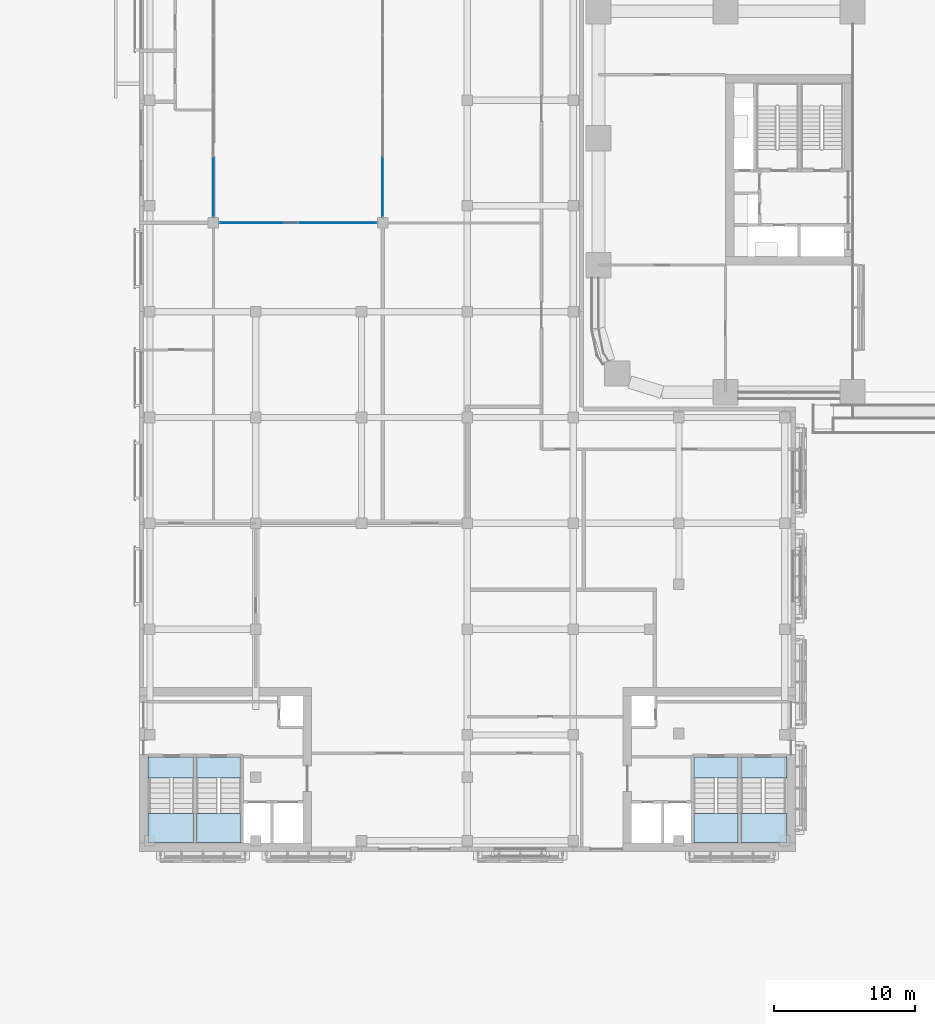
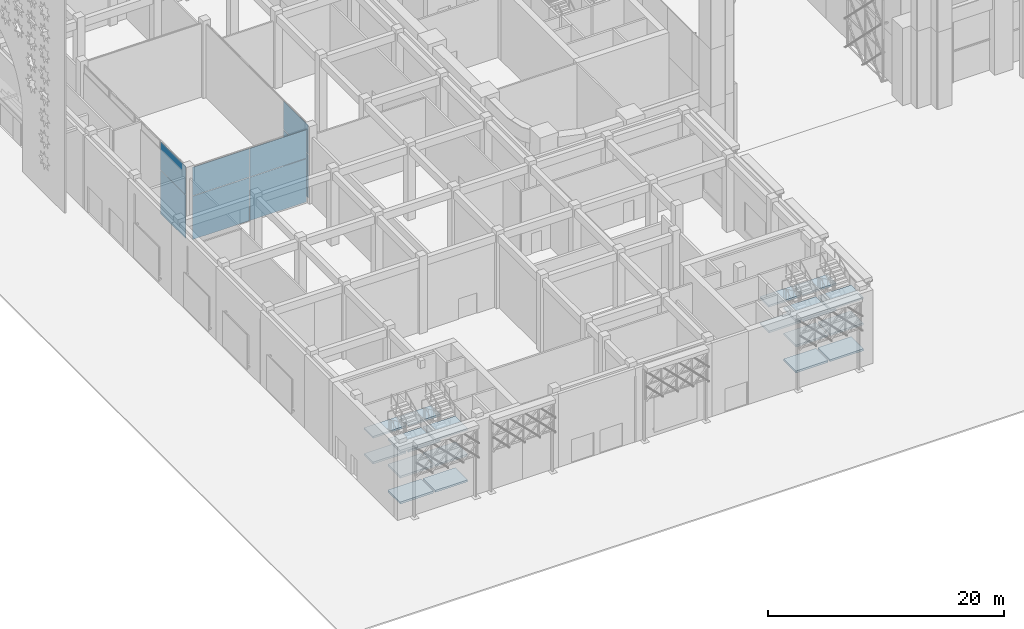
# One storey, part 20 of 64: 20 slabs, 8 plates, 7 elements without a shape of their own.
"""IFC4 building model written with IfcOpenShell, lengths in metres."""

from ifc_helpers import new_model, si_unit, direction, frame, origin, origin_2d, place, context, subcontext, project, spatial, polyline, rectangle, outline, extrude, material, layer, layer_set, type_object, element, aggregate, save


model = new_model("IFC4")

# Units and contexts
model_context = context("Model", 3, precision=1e-05, world=origin(), true_north=direction((0.0, 1.0)))
body_context = subcontext(model_context, "Body", "Model", "MODEL_VIEW")
ifc_project = project(units=[si_unit("LENGTHUNIT", "METRE"), si_unit("AREAUNIT", "SQUARE_METRE"), si_unit("VOLUMEUNIT", "CUBIC_METRE"), si_unit("PLANEANGLEUNIT", "RADIAN"), si_unit("MASSUNIT", "GRAM", prefix="KILO")], contexts=[model_context])

# Site, building, storey
site_placement = place(None, origin())
site = spatial("IfcSite", under=ifc_project, at=site_placement, CompositionType="ELEMENT")
building_placement = place(site_placement, origin())
building = spatial("IfcBuilding", under=site, at=building_placement, Name="Tessera Arch", CompositionType="ELEMENT")
storey_placement = place(building_placement, origin())
storey = spatial("IfcBuildingStorey", under=building, at=storey_placement, Name="L00", CompositionType="ELEMENT", Elevation=0.0)

# Curtain wall, plates
ifc_material_1 = material(Name="Aluminium and clear glass", Category="aluminium")
ifc_layer_1 = layer(ifc_material_1, 0.1201171875)
ifc_layer_set_1 = layer_set([ifc_layer_1], Name="Courtyard curtain wall")
curtain_wall_type = type_object("IfcCurtainWallType", Name="Courtyard curtain wall", PredefinedType="NOTDEFINED", material=ifc_layer_set_1)
curtain_wall_1_placement = place(storey_placement, origin())
curtain_wall_1 = element("IfcCurtainWall", 1, at=curtain_wall_1_placement, inside=storey, type_object=curtain_wall_type, Name="Courtyard curtain wall L00 1", PredefinedType="NOTDEFINED")
ifc_material_2 = material(Name="Clear low-e laminated glass", Category="glass")
ifc_layer_2 = layer(ifc_material_2, 0.028076171875)
ifc_layer_set_2 = layer_set([ifc_layer_2], Name="Courtyard glass panel")
plate_type = type_object("IfcPlateType", Name="Courtyard glass panel", PredefinedType="CURTAIN_PANEL", material=ifc_layer_set_2)
plate_1_placement = place(storey_placement, frame((-24.097412109375, 12.0, 0.06005859375), z_axis=(0.0, 0.0, 1.0), x_axis=(1.0, 0.0, 0.0)))
plate_1 = element("IfcPlate", 2, at=plate_1_placement, type_object=plate_type, Name="MCW1 panel 1.1", PredefinedType="CURTAIN_PANEL", context=body_context, shape_type="SweptSolid", body=[
    extrude(rectangle(XDim=5.534912109375, YDim=0.028076171875, at=origin_2d()), origin(), (0.0, 0.0, 1.0), 4.464111328125),
])
plate_2_placement = place(storey_placement, frame((-24.097412109375, 12.0, 4.583984375), z_axis=(0.0, 0.0, 1.0), x_axis=(1.0, 0.0, 0.0)))
plate_2 = element("IfcPlate", 3, at=plate_2_placement, type_object=plate_type, Name="MCW1 panel 1.2", PredefinedType="CURTAIN_PANEL", context=body_context, shape_type="SweptSolid", body=[
    extrude(rectangle(XDim=5.534912109375, YDim=0.028076171875, at=origin_2d()), origin(), (0.0, 0.0, 1.0), 2.946044921875),
])
plate_3_placement = place(storey_placement, frame((-18.50244140625, 12.0, 0.06005859375), z_axis=(0.0, 0.0, 1.0), x_axis=(1.0, 0.0, 0.0)))
plate_3 = element("IfcPlate", 4, at=plate_3_placement, type_object=plate_type, Name="MCW1 panel 2.1", PredefinedType="CURTAIN_PANEL", context=body_context, shape_type="SweptSolid", body=[
    extrude(rectangle(XDim=5.534912109375, YDim=0.028076171875, at=origin_2d()), origin(), (0.0, 0.0, 1.0), 4.464111328125),
])
plate_4_placement = place(storey_placement, frame((-18.50244140625, 12.0, 4.583984375), z_axis=(0.0, 0.0, 1.0), x_axis=(1.0, 0.0, 0.0)))
plate_4 = element("IfcPlate", 5, at=plate_4_placement, type_object=plate_type, Name="MCW1 panel 2.2", PredefinedType="CURTAIN_PANEL", context=body_context, shape_type="SweptSolid", body=[
    extrude(rectangle(XDim=5.534912109375, YDim=0.028076171875, at=origin_2d()), origin(), (0.0, 0.0, 1.0), 2.946044921875),
])
aggregate(curtain_wall_1, [plate_1, plate_2, plate_3, plate_4])

curtain_wall_2_placement = place(storey_placement, origin())
curtain_wall_2 = element("IfcCurtainWall", 6, at=curtain_wall_2_placement, inside=storey, type_object=curtain_wall_type, Name="Courtyard curtain wall L00 2", PredefinedType="NOTDEFINED")
plate_5_placement = place(storey_placement, frame((-15.300048828125, 14.546142578125, 0.06005859375), z_axis=(0.0, 0.0, 1.0), x_axis=(0.0, 1.0, 0.0)))
plate_5 = element("IfcPlate", 7, at=plate_5_placement, type_object=plate_type, Name="MCW1 panel 1.1", PredefinedType="CURTAIN_PANEL", context=body_context, shape_type="SweptSolid", body=[
    extrude(rectangle(XDim=4.222412109375, YDim=0.028076171875, at=origin_2d()), origin(), (0.0, 0.0, 1.0), 4.464111328125),
])
plate_6_placement = place(storey_placement, frame((-15.300048828125, 14.546142578125, 4.583984375), z_axis=(0.0, 0.0, 1.0), x_axis=(0.0, 1.0, 0.0)))
plate_6 = element("IfcPlate", 8, at=plate_6_placement, type_object=plate_type, Name="MCW1 panel 1.2", PredefinedType="CURTAIN_PANEL", context=body_context, shape_type="SweptSolid", body=[
    extrude(rectangle(XDim=4.222412109375, YDim=0.028076171875, at=origin_2d()), origin(), (0.0, 0.0, 1.0), 2.946044921875),
])
aggregate(curtain_wall_2, [plate_5, plate_6])

curtain_wall_3_placement = place(storey_placement, origin())
curtain_wall_3 = element("IfcCurtainWall", 9, at=curtain_wall_3_placement, inside=storey, type_object=curtain_wall_type, Name="Courtyard curtain wall L00 4", PredefinedType="NOTDEFINED")
plate_7_placement = place(storey_placement, frame((-27.300048828125, 14.546142578125, 0.06005859375), z_axis=(0.0, 0.0, 1.0), x_axis=(0.0, -1.0, 0.0)))
plate_7 = element("IfcPlate", 10, at=plate_7_placement, type_object=plate_type, Name="MCW1 panel 4.1", PredefinedType="CURTAIN_PANEL", context=body_context, shape_type="SweptSolid", body=[
    extrude(rectangle(XDim=4.222412109375, YDim=0.028076171875, at=origin_2d()), origin(), (0.0, 0.0, 1.0), 4.464111328125),
])
plate_8_placement = place(storey_placement, frame((-27.300048828125, 14.546142578125, 4.583984375), z_axis=(0.0, 0.0, 1.0), x_axis=(0.0, -1.0, 0.0)))
plate_8 = element("IfcPlate", 11, at=plate_8_placement, type_object=plate_type, Name="MCW1 panel 4.2", PredefinedType="CURTAIN_PANEL", context=body_context, shape_type="SweptSolid", body=[
    extrude(rectangle(XDim=4.222412109375, YDim=0.028076171875, at=origin_2d()), origin(), (0.0, 0.0, 1.0), 2.946044921875),
])
aggregate(curtain_wall_3, [plate_7, plate_8])

# Stair, slabs
ifc_material_3 = material(Name="Concrete C40/50", Category="concrete")
stair_type = type_object("IfcStairType", Name="Dogleg stair 1500", PredefinedType="HALF_TURN_STAIR", material=ifc_material_3)
stair_1_placement = place(storey_placement, origin())
stair_1 = element("IfcStair", 12, at=stair_1_placement, inside=storey, type_object=stair_type, Name="L00 M2a", PredefinedType="HALF_TURN_STAIR")
ifc_material_4 = material(Name="Concrete C40/50", Category="concrete")
ifc_layer_3 = layer(ifc_material_4, 0.300048828125)
ifc_layer_set_3 = layer_set([ifc_layer_3], Name="Stair landing 300")
slab_type = type_object("IfcSlabType", Name="Stair landing 300", PredefinedType="LANDING", material=ifc_layer_set_3)
slab_1_placement = place(storey_placement, frame((0.0, 0.0, 1.13330078125)))
slab_1 = element("IfcSlab", 13, at=slab_1_placement, type_object=slab_type, Name="M2a landing 1", PredefinedType="LANDING", context=body_context, shape_type="SweptSolid", body=[
    extrude(outline(polyline([(-31.949951171875, -29.8701171875), (-31.949951171875, -31.949951171875), (-28.699951171875, -31.949951171875), (-28.699951171875, -29.8701171875), (-31.949951171875, -29.8701171875)])), origin(), (0.0, 0.0, 1.0), 0.199951171875),
])
slab_2_placement = place(storey_placement, frame((0.0, 0.0, 2.466552734375)))
slab_2 = element("IfcSlab", 14, at=slab_2_placement, type_object=slab_type, Name="M2a landing 2", PredefinedType="LANDING", context=body_context, shape_type="SweptSolid", body=[
    extrude(outline(polyline([(-31.949951171875, -25.85009765625), (-31.949951171875, -27.35009765625), (-28.699951171875, -27.35009765625), (-28.699951171875, -25.85009765625), (-31.949951171875, -25.85009765625)])), origin(), (0.0, 0.0, 1.0), 0.2001953125),
])
slab_3_placement = place(storey_placement, frame((0.0, 0.0, 3.800048828125)))
slab_3 = element("IfcSlab", 15, at=slab_3_placement, type_object=slab_type, Name="M2a landing 3", PredefinedType="LANDING", context=body_context, shape_type="SweptSolid", body=[
    extrude(outline(polyline([(-31.949951171875, -29.8701171875), (-31.949951171875, -31.949951171875), (-28.699951171875, -31.949951171875), (-28.699951171875, -29.8701171875), (-31.949951171875, -29.8701171875)])), origin(), (0.0, 0.0, 1.0), 0.199951171875),
])
slab_4_placement = place(storey_placement, frame((0.0, 0.0, 5.13330078125)))
slab_4 = element("IfcSlab", 16, at=slab_4_placement, type_object=slab_type, Name="M2a landing 4", PredefinedType="LANDING", context=body_context, shape_type="SweptSolid", body=[
    extrude(outline(polyline([(-31.949951171875, -25.85009765625), (-31.949951171875, -27.35009765625), (-28.699951171875, -27.35009765625), (-28.699951171875, -25.85009765625), (-31.949951171875, -25.85009765625)])), origin(), (0.0, 0.0, 1.0), 0.199951171875),
])
slab_5_placement = place(storey_placement, frame((0.0, 0.0, 6.466552734375)))
slab_5 = element("IfcSlab", 17, at=slab_5_placement, type_object=slab_type, Name="M2a landing 5", PredefinedType="LANDING", context=body_context, shape_type="SweptSolid", body=[
    extrude(outline(polyline([(-31.949951171875, -29.8701171875), (-31.949951171875, -31.949951171875), (-28.699951171875, -31.949951171875), (-28.699951171875, -29.8701171875), (-31.949951171875, -29.8701171875)])), origin(), (0.0, 0.0, 1.0), 0.2001953125),
])
aggregate(stair_1, [slab_1, slab_2, slab_3, slab_4, slab_5])

stair_2_placement = place(storey_placement, origin())
stair_2 = element("IfcStair", 18, at=stair_2_placement, inside=storey, type_object=stair_type, Name="L00 M2b", PredefinedType="HALF_TURN_STAIR")
slab_6_placement = place(storey_placement, frame((0.0, 0.0, 1.13330078125)))
slab_6 = element("IfcSlab", 19, at=slab_6_placement, type_object=slab_type, Name="M2b landing 1", PredefinedType="LANDING", context=body_context, shape_type="SweptSolid", body=[
    extrude(outline(polyline([(-28.5, -29.8701171875), (-28.5, -31.949951171875), (-25.35009765625, -31.949951171875), (-25.35009765625, -29.8701171875), (-28.5, -29.8701171875)])), origin(), (0.0, 0.0, 1.0), 0.199951171875),
])
slab_7_placement = place(storey_placement, frame((0.0, 0.0, 2.466552734375)))
slab_7 = element("IfcSlab", 20, at=slab_7_placement, type_object=slab_type, Name="M2b landing 2", PredefinedType="LANDING", context=body_context, shape_type="SweptSolid", body=[
    extrude(outline(polyline([(-28.5, -25.85009765625), (-28.5, -27.35009765625), (-25.35009765625, -27.35009765625), (-25.35009765625, -25.85009765625), (-28.5, -25.85009765625)])), origin(), (0.0, 0.0, 1.0), 0.2001953125),
])
slab_8_placement = place(storey_placement, frame((0.0, 0.0, 3.800048828125)))
slab_8 = element("IfcSlab", 21, at=slab_8_placement, type_object=slab_type, Name="M2b landing 3", PredefinedType="LANDING", context=body_context, shape_type="SweptSolid", body=[
    extrude(outline(polyline([(-28.5, -29.8701171875), (-28.5, -31.949951171875), (-25.35009765625, -31.949951171875), (-25.35009765625, -29.8701171875), (-28.5, -29.8701171875)])), origin(), (0.0, 0.0, 1.0), 0.199951171875),
])
slab_9_placement = place(storey_placement, frame((0.0, 0.0, 5.13330078125)))
slab_9 = element("IfcSlab", 22, at=slab_9_placement, type_object=slab_type, Name="M2b landing 4", PredefinedType="LANDING", context=body_context, shape_type="SweptSolid", body=[
    extrude(outline(polyline([(-28.5, -25.85009765625), (-28.5, -27.35009765625), (-25.35009765625, -27.35009765625), (-25.35009765625, -25.85009765625), (-28.5, -25.85009765625)])), origin(), (0.0, 0.0, 1.0), 0.199951171875),
])
slab_10_placement = place(storey_placement, frame((0.0, 0.0, 6.466552734375)))
slab_10 = element("IfcSlab", 23, at=slab_10_placement, type_object=slab_type, Name="M2b landing 5", PredefinedType="LANDING", context=body_context, shape_type="SweptSolid", body=[
    extrude(outline(polyline([(-28.5, -29.8701171875), (-28.5, -31.949951171875), (-25.35009765625, -31.949951171875), (-25.35009765625, -29.8701171875), (-28.5, -29.8701171875)])), origin(), (0.0, 0.0, 1.0), 0.2001953125),
])
aggregate(stair_2, [slab_6, slab_7, slab_8, slab_9, slab_10])

stair_3_placement = place(storey_placement, origin())
stair_3 = element("IfcStair", 24, at=stair_3_placement, inside=storey, type_object=stair_type, Name="L00 M3a", PredefinedType="HALF_TURN_STAIR")
slab_11_placement = place(storey_placement, frame((0.0, 0.0, 1.13330078125)))
slab_11 = element("IfcSlab", 25, at=slab_11_placement, type_object=slab_type, Name="M3a landing 1", PredefinedType="LANDING", context=body_context, shape_type="SweptSolid", body=[
    extrude(outline(polyline([(10.10009765625, -29.8701171875), (10.10009765625, -31.949951171875), (13.35009765625, -31.949951171875), (13.35009765625, -29.8701171875), (10.10009765625, -29.8701171875)])), origin(), (0.0, 0.0, 1.0), 0.199951171875),
])
slab_12_placement = place(storey_placement, frame((0.0, 0.0, 2.466552734375)))
slab_12 = element("IfcSlab", 26, at=slab_12_placement, type_object=slab_type, Name="M3a landing 2", PredefinedType="LANDING", context=body_context, shape_type="SweptSolid", body=[
    extrude(outline(polyline([(10.10009765625, -25.85009765625), (10.10009765625, -27.35009765625), (13.35009765625, -27.35009765625), (13.35009765625, -25.85009765625), (10.10009765625, -25.85009765625)])), origin(), (0.0, 0.0, 1.0), 0.2001953125),
])
slab_13_placement = place(storey_placement, frame((0.0, 0.0, 3.800048828125)))
slab_13 = element("IfcSlab", 27, at=slab_13_placement, type_object=slab_type, Name="M3a landing 3", PredefinedType="LANDING", context=body_context, shape_type="SweptSolid", body=[
    extrude(outline(polyline([(10.10009765625, -29.8701171875), (10.10009765625, -31.949951171875), (13.35009765625, -31.949951171875), (13.35009765625, -29.8701171875), (10.10009765625, -29.8701171875)])), origin(), (0.0, 0.0, 1.0), 0.199951171875),
])
slab_14_placement = place(storey_placement, frame((0.0, 0.0, 5.13330078125)))
slab_14 = element("IfcSlab", 28, at=slab_14_placement, type_object=slab_type, Name="M3a landing 4", PredefinedType="LANDING", context=body_context, shape_type="SweptSolid", body=[
    extrude(outline(polyline([(10.10009765625, -25.85009765625), (10.10009765625, -27.35009765625), (13.35009765625, -27.35009765625), (13.35009765625, -25.85009765625), (10.10009765625, -25.85009765625)])), origin(), (0.0, 0.0, 1.0), 0.199951171875),
])
slab_15_placement = place(storey_placement, frame((0.0, 0.0, 6.466552734375)))
slab_15 = element("IfcSlab", 29, at=slab_15_placement, type_object=slab_type, Name="M3a landing 5", PredefinedType="LANDING", context=body_context, shape_type="SweptSolid", body=[
    extrude(outline(polyline([(10.10009765625, -29.8701171875), (10.10009765625, -31.949951171875), (13.35009765625, -31.949951171875), (13.35009765625, -29.8701171875), (10.10009765625, -29.8701171875)])), origin(), (0.0, 0.0, 1.0), 0.2001953125),
])
aggregate(stair_3, [slab_11, slab_12, slab_13, slab_14, slab_15])

stair_4_placement = place(storey_placement, origin())
stair_4 = element("IfcStair", 30, at=stair_4_placement, inside=storey, type_object=stair_type, Name="L00 M3b", PredefinedType="HALF_TURN_STAIR")
slab_16_placement = place(storey_placement, frame((0.0, 0.0, 1.13330078125)))
slab_16 = element("IfcSlab", 31, at=slab_16_placement, type_object=slab_type, Name="M3b landing 1", PredefinedType="LANDING", context=body_context, shape_type="SweptSolid", body=[
    extrude(outline(polyline([(6.75, -29.8701171875), (6.75, -31.949951171875), (9.89990234375, -31.949951171875), (9.89990234375, -29.8701171875), (6.75, -29.8701171875)])), origin(), (0.0, 0.0, 1.0), 0.199951171875),
])
slab_17_placement = place(storey_placement, frame((0.0, 0.0, 2.466552734375)))
slab_17 = element("IfcSlab", 32, at=slab_17_placement, type_object=slab_type, Name="M3b landing 2", PredefinedType="LANDING", context=body_context, shape_type="SweptSolid", body=[
    extrude(outline(polyline([(6.75, -25.85009765625), (6.75, -27.35009765625), (9.89990234375, -27.35009765625), (9.89990234375, -25.85009765625), (6.75, -25.85009765625)])), origin(), (0.0, 0.0, 1.0), 0.2001953125),
])
slab_18_placement = place(storey_placement, frame((0.0, 0.0, 3.800048828125)))
slab_18 = element("IfcSlab", 33, at=slab_18_placement, type_object=slab_type, Name="M3b landing 3", PredefinedType="LANDING", context=body_context, shape_type="SweptSolid", body=[
    extrude(outline(polyline([(6.75, -29.8701171875), (6.75, -31.949951171875), (9.89990234375, -31.949951171875), (9.89990234375, -29.8701171875), (6.75, -29.8701171875)])), origin(), (0.0, 0.0, 1.0), 0.199951171875),
])
slab_19_placement = place(storey_placement, frame((0.0, 0.0, 5.13330078125)))
slab_19 = element("IfcSlab", 34, at=slab_19_placement, type_object=slab_type, Name="M3b landing 4", PredefinedType="LANDING", context=body_context, shape_type="SweptSolid", body=[
    extrude(outline(polyline([(6.75, -25.85009765625), (6.75, -27.35009765625), (9.89990234375, -27.35009765625), (9.89990234375, -25.85009765625), (6.75, -25.85009765625)])), origin(), (0.0, 0.0, 1.0), 0.199951171875),
])
slab_20_placement = place(storey_placement, frame((0.0, 0.0, 6.466552734375)))
slab_20 = element("IfcSlab", 35, at=slab_20_placement, type_object=slab_type, Name="M3b landing 5", PredefinedType="LANDING", context=body_context, shape_type="SweptSolid", body=[
    extrude(outline(polyline([(6.75, -29.8701171875), (6.75, -31.949951171875), (9.89990234375, -31.949951171875), (9.89990234375, -29.8701171875), (6.75, -29.8701171875)])), origin(), (0.0, 0.0, 1.0), 0.2001953125),
])
aggregate(stair_4, [slab_16, slab_17, slab_18, slab_19, slab_20])

save(model, "model.ifc")
